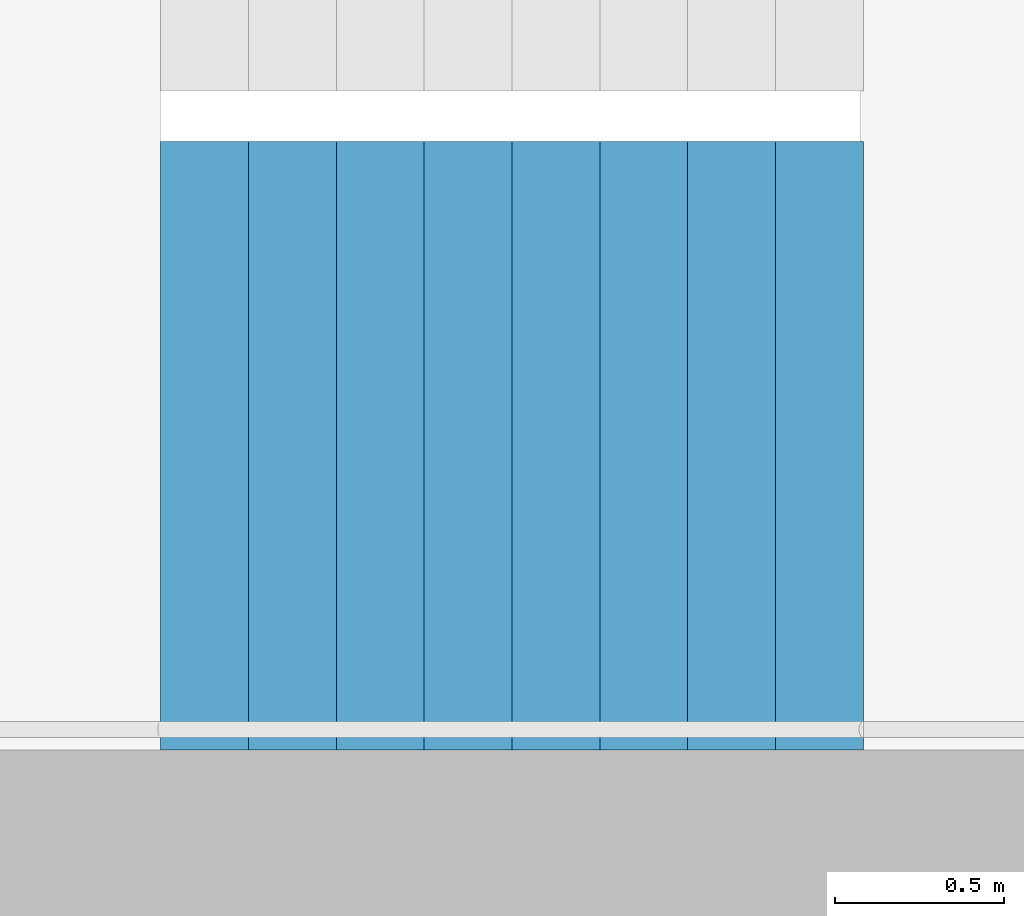
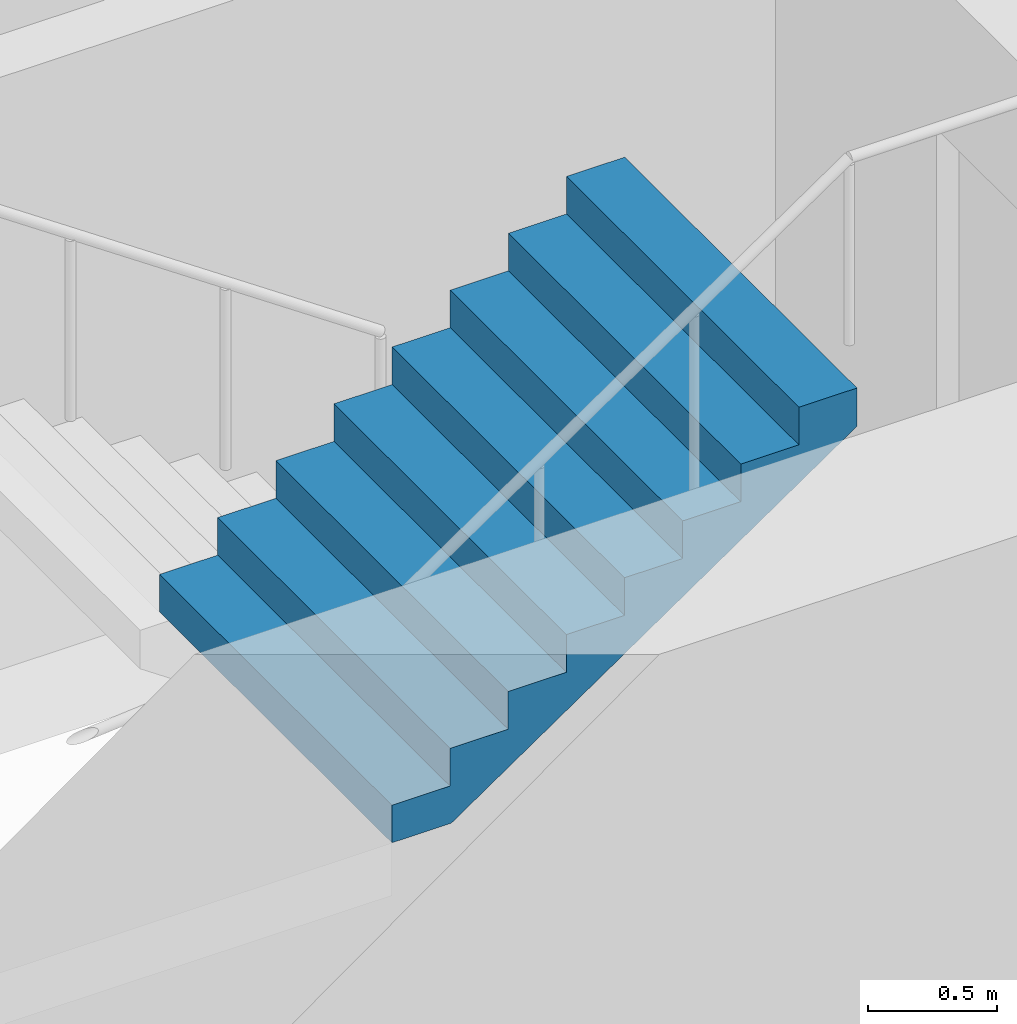
# One storey, part 20 of 28: 1 stair flight, 1 element without a shape of its own.
"""IFC4 building model written with IfcOpenShell, lengths in metres."""

from ifc_helpers import new_model, si_unit, direction, frame, origin, place, context, subcontext, project, spatial, triangles, material, type_object, element, aggregate, save


model = new_model("IFC4")

# Units and contexts
model_context = context("Model", 3, precision=1e-05, world=origin(), true_north=direction((0.0, 1.0)))
body_context = subcontext(model_context, "Body", "Model", "MODEL_VIEW")
ifc_project = project(units=[si_unit("LENGTHUNIT", "METRE"), si_unit("AREAUNIT", "SQUARE_METRE"), si_unit("VOLUMEUNIT", "CUBIC_METRE"), si_unit("PLANEANGLEUNIT", "RADIAN"), si_unit("MASSUNIT", "GRAM", prefix="KILO")], contexts=[model_context])

# Site, building, storey
site_placement = place(None, origin())
site = spatial("IfcSite", under=ifc_project, at=site_placement, CompositionType="ELEMENT")
building_placement = place(site_placement, origin())
building = spatial("IfcBuilding", under=site, at=building_placement, Name="Hakoniwa Tower and Hamabe Station Hall", CompositionType="ELEMENT")
storey_placement = place(building_placement, frame((0.0, 0.0, 42.199951171875)))
storey = spatial("IfcBuildingStorey", under=building, at=storey_placement, Name="L11", CompositionType="ELEMENT", Elevation=42.199951171875)

# Stair, stair flight
ifc_material_1 = material(Name="Concrete C40", Category="concrete")
stair_type = type_object("IfcStairType", Name="ESCAPE STAIR 1800", PredefinedType="HALF_TURN_STAIR", material=ifc_material_1)
stair_placement = place(storey_placement, origin())
stair = element("IfcStair", 1, at=stair_placement, inside=storey, type_object=stair_type, Name="Escape stair ST-2 L11", PredefinedType="HALF_TURN_STAIR")
ifc_material_2 = material(Name="Concrete C40", Category="concrete")
stair_flight_type = type_object("IfcStairFlightType", Name="STAIR FLIGHT 1800", PredefinedType="STRAIGHT", material=ifc_material_2)
stair_flight_placement = place(storey_placement, frame((-25.47998046875, -6.60009765625, 1.60009765625), z_axis=(0.0, 0.0, 1.0), x_axis=(1.0, 0.0, 0.0)))
stair_flight = element("IfcStairFlight", 2, at=stair_flight_placement, type_object=stair_flight_type, Name="ST-2 flight 2", NumberOfRisers=9, NumberOfTreads=8, PredefinedType="STRAIGHT", RiserHeight=0.177777778, TreadLength=0.26, context=body_context, shape_type="Tessellation", body=[
    triangles([(0.0, 0.89990234375, 0.0), (0.260009765625, 0.89990234375, 0.0), (0.265625, 0.89990234375, 0.0), (0.52001953125, 0.89990234375, 0.174072265625), (0.780029296875, 0.89990234375, 0.351806640625), (1.0400390625, 0.89990234375, 0.529541015625), (1.300048828125, 0.89990234375, 0.707275390625), (1.56005859375, 0.89990234375, 0.885009765625), (1.820068359375, 0.89990234375, 1.062744140625), (2.080078125, 0.89990234375, 1.24072265625), (2.080078125, 0.89990234375, 1.422119140625), (1.820068359375, 0.89990234375, 1.422119140625), (1.820068359375, 0.89990234375, 1.244384765625), (1.56005859375, 0.89990234375, 1.244384765625), (1.56005859375, 0.89990234375, 1.066650390625), (1.300048828125, 0.89990234375, 1.066650390625), (1.300048828125, 0.89990234375, 0.888916015625), (1.0400390625, 0.89990234375, 0.888916015625), (1.0400390625, 0.89990234375, 0.711181640625), (0.780029296875, 0.89990234375, 0.711181640625), (0.780029296875, 0.89990234375, 0.533447265625), (0.52001953125, 0.89990234375, 0.533447265625), (0.52001953125, 0.89990234375, 0.35546875), (0.265625, 0.89990234375, 0.35546875), (0.260009765625, 0.89990234375, 0.35546875), (0.260009765625, 0.89990234375, 0.177734375), (0.0, 0.89990234375, 0.177734375), (0.0, 0.06005859375, 0.0), (0.260009765625, 0.06005859375, 0.0), (0.265625, 0.06005859375, 0.0), (0.52001953125, 0.06005859375, 0.174072265625), (0.780029296875, 0.06005859375, 0.351806640625), (1.0400390625, 0.06005859375, 0.529541015625), (1.300048828125, 0.06005859375, 0.707275390625), (1.56005859375, 0.06005859375, 0.885009765625), (1.820068359375, 0.06005859375, 1.062744140625), (2.080078125, 0.06005859375, 1.24072265625), (2.080078125, 0.06005859375, 1.422119140625), (1.820068359375, 0.06005859375, 1.422119140625), (1.820068359375, 0.06005859375, 1.244384765625), (1.56005859375, 0.06005859375, 1.244384765625), (1.56005859375, 0.06005859375, 1.066650390625), (1.300048828125, 0.06005859375, 1.066650390625), (1.300048828125, 0.06005859375, 0.888916015625), (1.0400390625, 0.06005859375, 0.888916015625), (1.0400390625, 0.06005859375, 0.711181640625), (0.780029296875, 0.06005859375, 0.711181640625), (0.780029296875, 0.06005859375, 0.533447265625), (0.52001953125, 0.06005859375, 0.533447265625), (0.52001953125, 0.06005859375, 0.35546875), (0.265625, 0.06005859375, 0.35546875), (0.260009765625, 0.06005859375, 0.35546875), (0.260009765625, 0.06005859375, 0.177734375), (0.0, 0.06005859375, 0.177734375), (0.0, 0.04296875, 0.0), (0.260009765625, 0.04296875, 0.0), (0.265625, 0.04296875, 0.0), (0.52001953125, 0.04296875, 0.174072265625), (0.780029296875, 0.04296875, 0.351806640625), (1.0400390625, 0.04296875, 0.529541015625), (1.300048828125, 0.04296875, 0.707275390625), (1.56005859375, 0.04296875, 0.885009765625), (1.820068359375, 0.04296875, 1.062744140625), (2.080078125, 0.04296875, 1.24072265625), (2.080078125, 0.04296875, 1.422119140625), (1.820068359375, 0.04296875, 1.422119140625), (1.820068359375, 0.04296875, 1.244384765625), (1.56005859375, 0.04296875, 1.244384765625), (1.56005859375, 0.04296875, 1.066650390625), (1.300048828125, 0.04296875, 1.066650390625), (1.300048828125, 0.04296875, 0.888916015625), (1.0400390625, 0.04296875, 0.888916015625), (1.0400390625, 0.04296875, 0.711181640625), (0.780029296875, 0.04296875, 0.711181640625), (0.780029296875, 0.04296875, 0.533447265625), (0.52001953125, 0.04296875, 0.533447265625), (0.52001953125, 0.04296875, 0.35546875), (0.265625, 0.04296875, 0.35546875), (0.260009765625, 0.04296875, 0.35546875), (0.260009765625, 0.04296875, 0.177734375), (0.0, 0.04296875, 0.177734375), (0.0, 0.025634765625, 0.0), (0.260009765625, 0.025634765625, 0.0), (0.265625, 0.025634765625, 0.0), (0.52001953125, 0.025634765625, 0.174072265625), (0.780029296875, 0.025634765625, 0.351806640625), (1.0400390625, 0.025634765625, 0.529541015625), (1.300048828125, 0.025634765625, 0.707275390625), (1.56005859375, 0.025634765625, 0.885009765625), (1.820068359375, 0.025634765625, 1.062744140625), (2.080078125, 0.025634765625, 1.24072265625), (2.080078125, 0.025634765625, 1.422119140625), (1.820068359375, 0.025634765625, 1.422119140625), (1.820068359375, 0.025634765625, 1.244384765625), (1.56005859375, 0.025634765625, 1.244384765625), (1.56005859375, 0.025634765625, 1.066650390625), (1.300048828125, 0.025634765625, 1.066650390625), (1.300048828125, 0.025634765625, 0.888916015625), (1.0400390625, 0.025634765625, 0.888916015625), (1.0400390625, 0.025634765625, 0.711181640625), (0.780029296875, 0.025634765625, 0.711181640625), (0.780029296875, 0.025634765625, 0.533447265625), (0.52001953125, 0.025634765625, 0.533447265625), (0.52001953125, 0.025634765625, 0.35546875), (0.265625, 0.025634765625, 0.35546875), (0.260009765625, 0.025634765625, 0.35546875), (0.260009765625, 0.025634765625, 0.177734375), (0.0, 0.025634765625, 0.177734375), (0.0, 0.008544921875, 0.0), (0.260009765625, 0.008544921875, 0.0), (0.265625, 0.008544921875, 0.0), (0.52001953125, 0.008544921875, 0.174072265625), (0.780029296875, 0.008544921875, 0.351806640625), (1.0400390625, 0.008544921875, 0.529541015625), (1.300048828125, 0.008544921875, 0.707275390625), (1.56005859375, 0.008544921875, 0.885009765625), (1.820068359375, 0.008544921875, 1.062744140625), (2.080078125, 0.008544921875, 1.24072265625), (2.080078125, 0.008544921875, 1.422119140625), (1.820068359375, 0.008544921875, 1.422119140625), (1.820068359375, 0.008544921875, 1.244384765625), (1.56005859375, 0.008544921875, 1.244384765625), (1.56005859375, 0.008544921875, 1.066650390625), (1.300048828125, 0.008544921875, 1.066650390625), (1.300048828125, 0.008544921875, 0.888916015625), (1.0400390625, 0.008544921875, 0.888916015625), (1.0400390625, 0.008544921875, 0.711181640625), (0.780029296875, 0.008544921875, 0.711181640625), (0.780029296875, 0.008544921875, 0.533447265625), (0.52001953125, 0.008544921875, 0.533447265625), (0.52001953125, 0.008544921875, 0.35546875), (0.265625, 0.008544921875, 0.35546875), (0.260009765625, 0.008544921875, 0.35546875), (0.260009765625, 0.008544921875, 0.177734375), (0.0, 0.008544921875, 0.177734375), (0.0, -0.008544921875, 0.0), (0.260009765625, -0.008544921875, 0.0), (0.265625, -0.008544921875, 0.0), (0.52001953125, -0.008544921875, 0.174072265625), (0.780029296875, -0.008544921875, 0.351806640625), (1.0400390625, -0.008544921875, 0.529541015625), (1.300048828125, -0.008544921875, 0.707275390625), (1.56005859375, -0.008544921875, 0.885009765625), (1.820068359375, -0.008544921875, 1.062744140625), (2.080078125, -0.008544921875, 1.24072265625), (2.080078125, -0.008544921875, 1.422119140625), (1.820068359375, -0.008544921875, 1.422119140625), (1.820068359375, -0.008544921875, 1.244384765625), (1.56005859375, -0.008544921875, 1.244384765625), (1.56005859375, -0.008544921875, 1.066650390625), (1.300048828125, -0.008544921875, 1.066650390625), (1.300048828125, -0.008544921875, 0.888916015625), (1.0400390625, -0.008544921875, 0.888916015625), (1.0400390625, -0.008544921875, 0.711181640625), (0.780029296875, -0.008544921875, 0.711181640625), (0.780029296875, -0.008544921875, 0.533447265625), (0.52001953125, -0.008544921875, 0.533447265625), (0.52001953125, -0.008544921875, 0.35546875), (0.265625, -0.008544921875, 0.35546875), (0.260009765625, -0.008544921875, 0.35546875), (0.260009765625, -0.008544921875, 0.177734375), (0.0, -0.008544921875, 0.177734375), (0.0, -0.025634765625, 0.0), (0.260009765625, -0.025634765625, 0.0), (0.265625, -0.025634765625, 0.0), (0.52001953125, -0.025634765625, 0.174072265625), (0.780029296875, -0.025634765625, 0.351806640625), (1.0400390625, -0.025634765625, 0.529541015625), (1.300048828125, -0.025634765625, 0.707275390625), (1.56005859375, -0.025634765625, 0.885009765625), (1.820068359375, -0.025634765625, 1.062744140625), (2.080078125, -0.025634765625, 1.24072265625), (2.080078125, -0.025634765625, 1.422119140625), (1.820068359375, -0.025634765625, 1.422119140625), (1.820068359375, -0.025634765625, 1.244384765625), (1.56005859375, -0.025634765625, 1.244384765625), (1.56005859375, -0.025634765625, 1.066650390625), (1.300048828125, -0.025634765625, 1.066650390625), (1.300048828125, -0.025634765625, 0.888916015625), (1.0400390625, -0.025634765625, 0.888916015625), (1.0400390625, -0.025634765625, 0.711181640625), (0.780029296875, -0.025634765625, 0.711181640625), (0.780029296875, -0.025634765625, 0.533447265625), (0.52001953125, -0.025634765625, 0.533447265625), (0.52001953125, -0.025634765625, 0.35546875), (0.265625, -0.025634765625, 0.35546875), (0.260009765625, -0.025634765625, 0.35546875), (0.260009765625, -0.025634765625, 0.177734375), (0.0, -0.025634765625, 0.177734375), (0.0, -0.04296875, 0.0), (0.260009765625, -0.04296875, 0.0), (0.265625, -0.04296875, 0.0), (0.52001953125, -0.04296875, 0.174072265625), (0.780029296875, -0.04296875, 0.351806640625), (1.0400390625, -0.04296875, 0.529541015625), (1.300048828125, -0.04296875, 0.707275390625), (1.56005859375, -0.04296875, 0.885009765625), (1.820068359375, -0.04296875, 1.062744140625), (2.080078125, -0.04296875, 1.24072265625), (2.080078125, -0.04296875, 1.422119140625), (1.820068359375, -0.04296875, 1.422119140625), (1.820068359375, -0.04296875, 1.244384765625), (1.56005859375, -0.04296875, 1.244384765625), (1.56005859375, -0.04296875, 1.066650390625), (1.300048828125, -0.04296875, 1.066650390625), (1.300048828125, -0.04296875, 0.888916015625), (1.0400390625, -0.04296875, 0.888916015625), (1.0400390625, -0.04296875, 0.711181640625), (0.780029296875, -0.04296875, 0.711181640625), (0.780029296875, -0.04296875, 0.533447265625), (0.52001953125, -0.04296875, 0.533447265625), (0.52001953125, -0.04296875, 0.35546875), (0.265625, -0.04296875, 0.35546875), (0.260009765625, -0.04296875, 0.35546875), (0.260009765625, -0.04296875, 0.177734375), (0.0, -0.04296875, 0.177734375), (0.0, -0.06005859375, 0.0), (0.260009765625, -0.06005859375, 0.0), (0.265625, -0.06005859375, 0.0), (0.52001953125, -0.06005859375, 0.174072265625), (0.780029296875, -0.06005859375, 0.351806640625), (1.0400390625, -0.06005859375, 0.529541015625), (1.300048828125, -0.06005859375, 0.707275390625), (1.56005859375, -0.06005859375, 0.885009765625), (1.820068359375, -0.06005859375, 1.062744140625), (2.080078125, -0.06005859375, 1.24072265625), (2.080078125, -0.06005859375, 1.422119140625), (1.820068359375, -0.06005859375, 1.422119140625), (1.820068359375, -0.06005859375, 1.244384765625), (1.56005859375, -0.06005859375, 1.244384765625), (1.56005859375, -0.06005859375, 1.066650390625), (1.300048828125, -0.06005859375, 1.066650390625), (1.300048828125, -0.06005859375, 0.888916015625), (1.0400390625, -0.06005859375, 0.888916015625), (1.0400390625, -0.06005859375, 0.711181640625), (0.780029296875, -0.06005859375, 0.711181640625), (0.780029296875, -0.06005859375, 0.533447265625), (0.52001953125, -0.06005859375, 0.533447265625), (0.52001953125, -0.06005859375, 0.35546875), (0.265625, -0.06005859375, 0.35546875), (0.260009765625, -0.06005859375, 0.35546875), (0.260009765625, -0.06005859375, 0.177734375), (0.0, -0.06005859375, 0.177734375), (0.0, -0.89990234375, 0.0), (0.260009765625, -0.89990234375, 0.0), (0.265625, -0.89990234375, 0.0), (0.52001953125, -0.89990234375, 0.174072265625), (0.780029296875, -0.89990234375, 0.351806640625), (1.0400390625, -0.89990234375, 0.529541015625), (1.300048828125, -0.89990234375, 0.707275390625), (1.56005859375, -0.89990234375, 0.885009765625), (1.820068359375, -0.89990234375, 1.062744140625), (2.080078125, -0.89990234375, 1.24072265625), (2.080078125, -0.89990234375, 1.422119140625), (1.820068359375, -0.89990234375, 1.422119140625), (1.820068359375, -0.89990234375, 1.244384765625), (1.56005859375, -0.89990234375, 1.244384765625), (1.56005859375, -0.89990234375, 1.066650390625), (1.300048828125, -0.89990234375, 1.066650390625), (1.300048828125, -0.89990234375, 0.888916015625), (1.0400390625, -0.89990234375, 0.888916015625), (1.0400390625, -0.89990234375, 0.711181640625), (0.780029296875, -0.89990234375, 0.711181640625), (0.780029296875, -0.89990234375, 0.533447265625), (0.52001953125, -0.89990234375, 0.533447265625), (0.52001953125, -0.89990234375, 0.35546875), (0.265625, -0.89990234375, 0.35546875), (0.260009765625, -0.89990234375, 0.35546875), (0.260009765625, -0.89990234375, 0.177734375), (0.0, -0.89990234375, 0.177734375)], [[2, 27, 26], [245, 269, 270], [2, 1, 27], [245, 270, 244], [3, 25, 24], [246, 267, 268], [3, 26, 25], [246, 268, 269], [3, 2, 26], [246, 269, 245], [4, 24, 23], [247, 266, 267], [4, 3, 24], [247, 267, 246], [5, 22, 21], [248, 264, 265], [5, 23, 22], [248, 265, 266], [5, 4, 23], [248, 266, 247], [6, 20, 19], [249, 262, 263], [6, 21, 20], [249, 263, 264], [6, 5, 21], [249, 264, 248], [7, 18, 17], [250, 260, 261], [7, 19, 18], [250, 261, 262], [7, 6, 19], [250, 262, 249], [8, 16, 15], [251, 258, 259], [8, 17, 16], [251, 259, 260], [8, 7, 17], [251, 260, 250], [9, 14, 13], [252, 256, 257], [9, 15, 14], [252, 257, 258], [9, 8, 15], [252, 258, 251], [10, 12, 11], [253, 254, 255], [10, 13, 12], [253, 255, 256], [10, 9, 13], [253, 256, 252], [1, 2, 29], [1, 29, 28], [28, 29, 56], [28, 56, 55], [55, 56, 83], [55, 83, 82], [82, 83, 110], [82, 110, 109], [109, 110, 137], [109, 137, 136], [136, 137, 164], [136, 164, 163], [163, 164, 191], [163, 191, 190], [190, 191, 218], [190, 218, 217], [217, 218, 245], [217, 245, 244], [2, 3, 30], [2, 30, 29], [29, 30, 57], [29, 57, 56], [56, 57, 84], [56, 84, 83], [83, 84, 111], [83, 111, 110], [110, 111, 138], [110, 138, 137], [137, 138, 165], [137, 165, 164], [164, 165, 192], [164, 192, 191], [191, 192, 219], [191, 219, 218], [218, 219, 246], [218, 246, 245], [3, 4, 31], [3, 31, 30], [30, 31, 58], [30, 58, 57], [57, 58, 85], [57, 85, 84], [84, 85, 112], [84, 112, 111], [111, 112, 139], [111, 139, 138], [138, 139, 166], [138, 166, 165], [165, 166, 193], [165, 193, 192], [192, 193, 220], [192, 220, 219], [219, 220, 247], [219, 247, 246], [4, 5, 32], [4, 32, 31], [31, 32, 59], [31, 59, 58], [58, 59, 86], [58, 86, 85], [85, 86, 113], [85, 113, 112], [112, 113, 140], [112, 140, 139], [139, 140, 167], [139, 167, 166], [166, 167, 194], [166, 194, 193], [193, 194, 221], [193, 221, 220], [220, 221, 248], [220, 248, 247], [5, 6, 33], [5, 33, 32], [32, 33, 60], [32, 60, 59], [59, 60, 87], [59, 87, 86], [86, 87, 114], [86, 114, 113], [113, 114, 141], [113, 141, 140], [140, 141, 168], [140, 168, 167], [167, 168, 195], [167, 195, 194], [194, 195, 222], [194, 222, 221], [221, 222, 249], [221, 249, 248], [6, 7, 34], [6, 34, 33], [33, 34, 61], [33, 61, 60], [60, 61, 88], [60, 88, 87], [87, 88, 115], [87, 115, 114], [114, 115, 142], [114, 142, 141], [141, 142, 169], [141, 169, 168], [168, 169, 196], [168, 196, 195], [195, 196, 223], [195, 223, 222], [222, 223, 250], [222, 250, 249], [7, 8, 35], [7, 35, 34], [34, 35, 62], [34, 62, 61], [61, 62, 89], [61, 89, 88], [88, 89, 116], [88, 116, 115], [115, 116, 143], [115, 143, 142], [142, 143, 170], [142, 170, 169], [169, 170, 197], [169, 197, 196], [196, 197, 224], [196, 224, 223], [223, 224, 251], [223, 251, 250], [8, 9, 36], [8, 36, 35], [35, 36, 63], [35, 63, 62], [62, 63, 90], [62, 90, 89], [89, 90, 117], [89, 117, 116], [116, 117, 144], [116, 144, 143], [143, 144, 171], [143, 171, 170], [170, 171, 198], [170, 198, 197], [197, 198, 225], [197, 225, 224], [224, 225, 252], [224, 252, 251], [9, 10, 37], [9, 37, 36], [36, 37, 64], [36, 64, 63], [63, 64, 91], [63, 91, 90], [90, 91, 118], [90, 118, 117], [117, 118, 145], [117, 145, 144], [144, 145, 172], [144, 172, 171], [171, 172, 199], [171, 199, 198], [198, 199, 226], [198, 226, 225], [225, 226, 253], [225, 253, 252], [10, 11, 38], [10, 38, 37], [37, 38, 65], [37, 65, 64], [64, 65, 92], [64, 92, 91], [91, 92, 119], [91, 119, 118], [118, 119, 146], [118, 146, 145], [145, 146, 173], [145, 173, 172], [172, 173, 200], [172, 200, 199], [199, 200, 227], [199, 227, 226], [226, 227, 254], [226, 254, 253], [11, 12, 39], [11, 39, 38], [38, 39, 66], [38, 66, 65], [65, 66, 93], [65, 93, 92], [92, 93, 120], [92, 120, 119], [119, 120, 147], [119, 147, 146], [146, 147, 174], [146, 174, 173], [173, 174, 201], [173, 201, 200], [200, 201, 228], [200, 228, 227], [227, 228, 255], [227, 255, 254], [12, 13, 40], [12, 40, 39], [39, 40, 67], [39, 67, 66], [66, 67, 94], [66, 94, 93], [93, 94, 121], [93, 121, 120], [120, 121, 148], [120, 148, 147], [147, 148, 175], [147, 175, 174], [174, 175, 202], [174, 202, 201], [201, 202, 229], [201, 229, 228], [228, 229, 256], [228, 256, 255], [13, 14, 41], [13, 41, 40], [40, 41, 68], [40, 68, 67], [67, 68, 95], [67, 95, 94], [94, 95, 122], [94, 122, 121], [121, 122, 149], [121, 149, 148], [148, 149, 176], [148, 176, 175], [175, 176, 203], [175, 203, 202], [202, 203, 230], [202, 230, 229], [229, 230, 257], [229, 257, 256], [14, 15, 42], [14, 42, 41], [41, 42, 69], [41, 69, 68], [68, 69, 96], [68, 96, 95], [95, 96, 123], [95, 123, 122], [122, 123, 150], [122, 150, 149], [149, 150, 177], [149, 177, 176], [176, 177, 204], [176, 204, 203], [203, 204, 231], [203, 231, 230], [230, 231, 258], [230, 258, 257], [15, 16, 43], [15, 43, 42], [42, 43, 70], [42, 70, 69], [69, 70, 97], [69, 97, 96], [96, 97, 124], [96, 124, 123], [123, 124, 151], [123, 151, 150], [150, 151, 178], [150, 178, 177], [177, 178, 205], [177, 205, 204], [204, 205, 232], [204, 232, 231], [231, 232, 259], [231, 259, 258], [16, 17, 44], [16, 44, 43], [43, 44, 71], [43, 71, 70], [70, 71, 98], [70, 98, 97], [97, 98, 125], [97, 125, 124], [124, 125, 152], [124, 152, 151], [151, 152, 179], [151, 179, 178], [178, 179, 206], [178, 206, 205], [205, 206, 233], [205, 233, 232], [232, 233, 260], [232, 260, 259], [17, 18, 45], [17, 45, 44], [44, 45, 72], [44, 72, 71], [71, 72, 99], [71, 99, 98], [98, 99, 126], [98, 126, 125], [125, 126, 153], [125, 153, 152], [152, 153, 180], [152, 180, 179], [179, 180, 207], [179, 207, 206], [206, 207, 234], [206, 234, 233], [233, 234, 261], [233, 261, 260], [18, 19, 46], [18, 46, 45], [45, 46, 73], [45, 73, 72], [72, 73, 100], [72, 100, 99], [99, 100, 127], [99, 127, 126], [126, 127, 154], [126, 154, 153], [153, 154, 181], [153, 181, 180], [180, 181, 208], [180, 208, 207], [207, 208, 235], [207, 235, 234], [234, 235, 262], [234, 262, 261], [19, 20, 47], [19, 47, 46], [46, 47, 74], [46, 74, 73], [73, 74, 101], [73, 101, 100], [100, 101, 128], [100, 128, 127], [127, 128, 155], [127, 155, 154], [154, 155, 182], [154, 182, 181], [181, 182, 209], [181, 209, 208], [208, 209, 236], [208, 236, 235], [235, 236, 263], [235, 263, 262], [20, 21, 48], [20, 48, 47], [47, 48, 75], [47, 75, 74], [74, 75, 102], [74, 102, 101], [101, 102, 129], [101, 129, 128], [128, 129, 156], [128, 156, 155], [155, 156, 183], [155, 183, 182], [182, 183, 210], [182, 210, 209], [209, 210, 237], [209, 237, 236], [236, 237, 264], [236, 264, 263], [21, 22, 49], [21, 49, 48], [48, 49, 76], [48, 76, 75], [75, 76, 103], [75, 103, 102], [102, 103, 130], [102, 130, 129], [129, 130, 157], [129, 157, 156], [156, 157, 184], [156, 184, 183], [183, 184, 211], [183, 211, 210], [210, 211, 238], [210, 238, 237], [237, 238, 265], [237, 265, 264], [22, 23, 50], [22, 50, 49], [49, 50, 77], [49, 77, 76], [76, 77, 104], [76, 104, 103], [103, 104, 131], [103, 131, 130], [130, 131, 158], [130, 158, 157], [157, 158, 185], [157, 185, 184], [184, 185, 212], [184, 212, 211], [211, 212, 239], [211, 239, 238], [238, 239, 266], [238, 266, 265], [23, 24, 51], [23, 51, 50], [50, 51, 78], [50, 78, 77], [77, 78, 105], [77, 105, 104], [104, 105, 132], [104, 132, 131], [131, 132, 159], [131, 159, 158], [158, 159, 186], [158, 186, 185], [185, 186, 213], [185, 213, 212], [212, 213, 240], [212, 240, 239], [239, 240, 267], [239, 267, 266], [24, 25, 52], [24, 52, 51], [51, 52, 79], [51, 79, 78], [78, 79, 106], [78, 106, 105], [105, 106, 133], [105, 133, 132], [132, 133, 160], [132, 160, 159], [159, 160, 187], [159, 187, 186], [186, 187, 214], [186, 214, 213], [213, 214, 241], [213, 241, 240], [240, 241, 268], [240, 268, 267], [25, 26, 53], [25, 53, 52], [52, 53, 80], [52, 80, 79], [79, 80, 107], [79, 107, 106], [106, 107, 134], [106, 134, 133], [133, 134, 161], [133, 161, 160], [160, 161, 188], [160, 188, 187], [187, 188, 215], [187, 215, 214], [214, 215, 242], [214, 242, 241], [241, 242, 269], [241, 269, 268], [26, 27, 54], [26, 54, 53], [53, 54, 81], [53, 81, 80], [80, 81, 108], [80, 108, 107], [107, 108, 135], [107, 135, 134], [134, 135, 162], [134, 162, 161], [161, 162, 189], [161, 189, 188], [188, 189, 216], [188, 216, 215], [215, 216, 243], [215, 243, 242], [242, 243, 270], [242, 270, 269], [27, 1, 28], [27, 28, 54], [54, 28, 55], [54, 55, 81], [81, 55, 82], [81, 82, 108], [108, 82, 109], [108, 109, 135], [135, 109, 136], [135, 136, 162], [162, 136, 163], [162, 163, 189], [189, 163, 190], [189, 190, 216], [216, 190, 217], [216, 217, 243], [243, 217, 244], [243, 244, 270]], closed=True),
])
aggregate(stair, [stair_flight])

save(model, "model.ifc")
